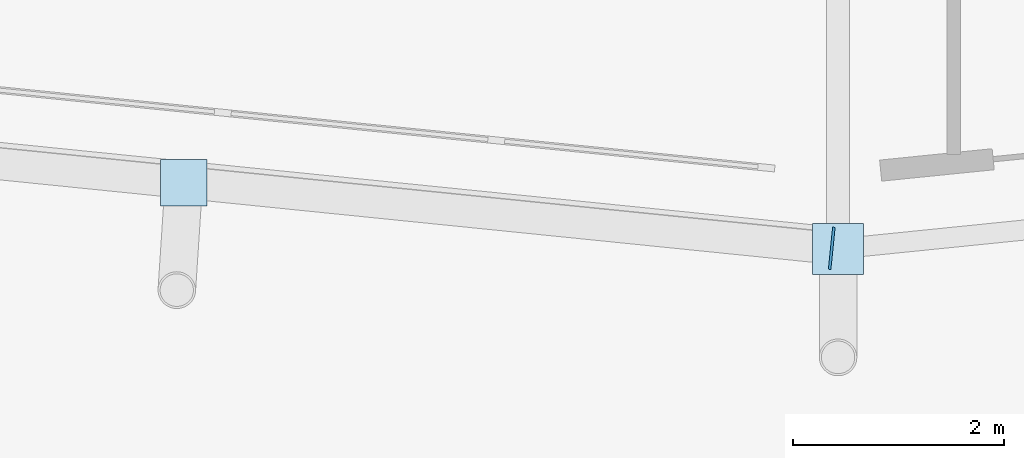
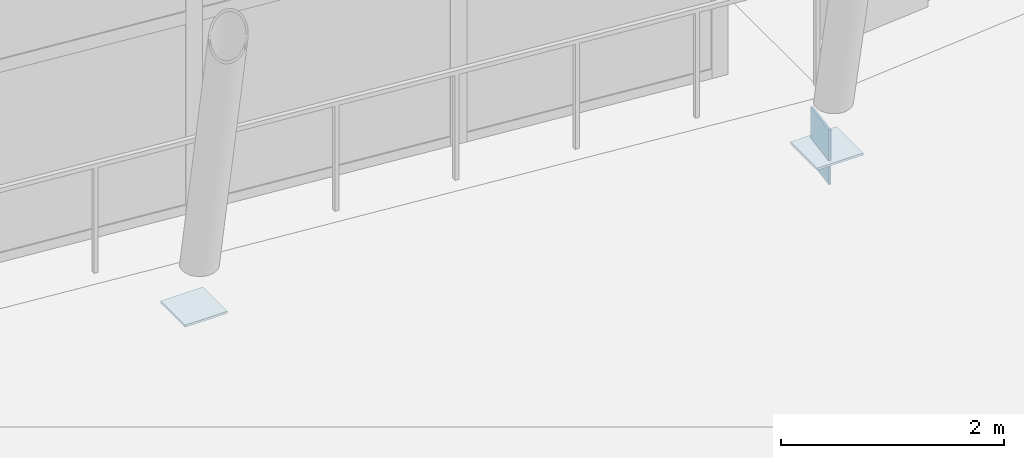
# One storey, part 107 of 179: 3 plates.
"""IFC4 building model written with IfcOpenShell, lengths in metres."""

from ifc_helpers import new_model, si_unit, direction, frame, origin, origin_2d, place, context, subcontext, project, spatial, rectangle, extrude, material, layer, layer_set, type_object, element, save


model = new_model("IFC4")

# Units and contexts
model_context = context("Model", 3, precision=1e-05, world=origin(), true_north=direction((0.0, 1.0)))
body_context = subcontext(model_context, "Body", "Model", "MODEL_VIEW")
ifc_project = project(units=[si_unit("LENGTHUNIT", "METRE"), si_unit("AREAUNIT", "SQUARE_METRE"), si_unit("VOLUMEUNIT", "CUBIC_METRE"), si_unit("PLANEANGLEUNIT", "RADIAN"), si_unit("MASSUNIT", "GRAM", prefix="KILO")], contexts=[model_context])

# Site, building, storey
site_placement = place(None, origin())
site = spatial("IfcSite", under=ifc_project, at=site_placement, CompositionType="ELEMENT")
building_placement = place(site_placement, origin())
building = spatial("IfcBuilding", under=site, at=building_placement, Name="Zlatoyarsky Gate Stadium", CompositionType="ELEMENT")
storey_placement = place(building_placement, frame((0.0, 0.0, 10.60009765625)))
storey = spatial("IfcBuildingStorey", under=building, at=storey_placement, Name="L02", CompositionType="ELEMENT", Elevation=10.60009765625)

# Plates
ifc_material = material(Name="Steel S355", Category="steel")
ifc_layer = layer(ifc_material, 0.02392578125)
ifc_layer_set = layer_set([ifc_layer], Name="Steel S355")
plate_type = type_object("IfcPlateType", Name="STEEL HOLLOW CHORD SPLICE SHEET 24", PredefinedType="SHEET", material=ifc_layer_set)
plate_1_placement = place(storey_placement, frame((110.940185546875, 6.330078125, -0.830078125), z_axis=(0.0, 0.0, 1.0), x_axis=(0.994900496236, -0.100861303726, 0.0)))
element("IfcPlate", 1, at=plate_1_placement, inside=storey, type_object=plate_type, Name="Hollow end cap ND-SP1 CAP-L02-SPD-17 B", PredefinedType="SHEET", context=body_context, shape_type="SweptSolid", body=[
    extrude(rectangle(XDim=0.02392578125, YDim=0.39990234375, at=origin_2d()), origin(), (0.0, 0.0, 1.0), 0.60009765625),
])
plate_2_placement = place(storey_placement, frame((111.0, 6.32421875, -0.592041015625), z_axis=(0.0, 0.0, 1.0), x_axis=(1.0, 0.0, 0.0)))
element("IfcPlate", 2, at=plate_2_placement, inside=storey, type_object=plate_type, Name="Node closure plate ND-SP1 NCAP-L02-RSTR-18", PredefinedType="SHEET", context=body_context, shape_type="SweptSolid", body=[
    extrude(rectangle(XDim=0.47998046875, YDim=0.47998046875, at=origin_2d()), origin(), (0.0, 0.0, 1.0), 0.02392578125),
])
plate_3_placement = place(storey_placement, frame((104.809326171875, 6.95166015625, -0.5419921875), z_axis=(0.0, 0.0, 1.0), x_axis=(1.0, 0.0, 0.0)))
element("IfcPlate", 3, at=plate_3_placement, inside=storey, type_object=plate_type, Name="Node closure plate ND-SP1 NCAP-RIB-17-3-0T", PredefinedType="SHEET", context=body_context, shape_type="SweptSolid", body=[
    extrude(rectangle(XDim=0.43994140625, YDim=0.43994140625, at=origin_2d()), origin(), (0.0, 0.0, 1.0), 0.02392578125),
])

save(model, "model.ifc")
